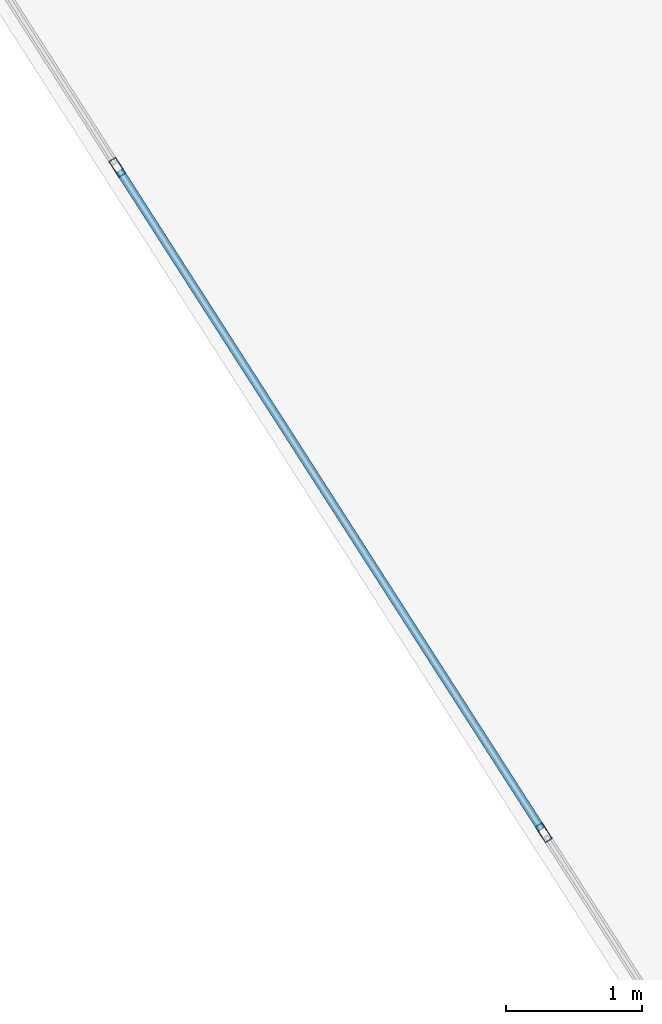
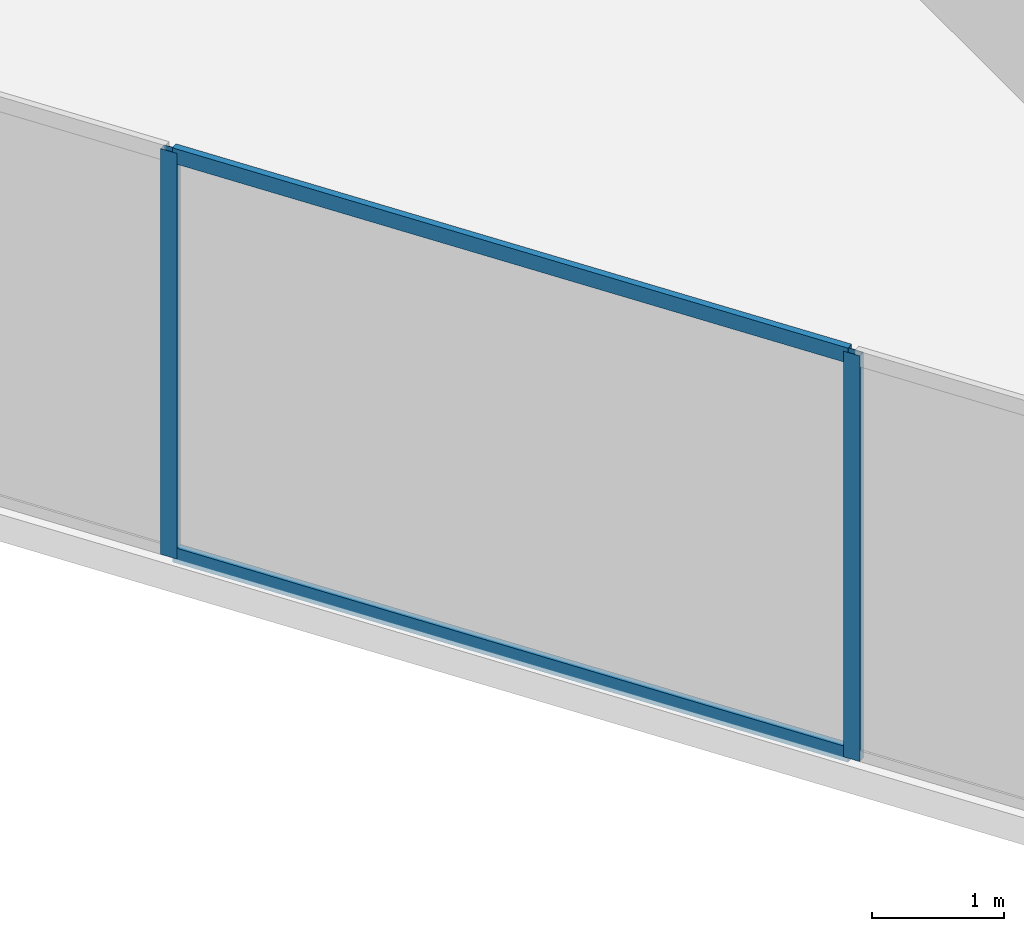
# One storey, part 17 of 26: 4 members, 1 element without a shape of its own.
"""IFC4 building model written with IfcOpenShell, lengths in metres."""

from ifc_helpers import new_model, si_unit, direction, frame, origin, origin_2d, place, context, subcontext, project, spatial, hollow_rectangle, extrude, material, layer, layer_set, material_profile, profile_set, type_object, element, aggregate, save


model = new_model("IFC4")

# Units and contexts
model_context = context("Model", 3, precision=1e-05, world=origin(), true_north=direction((0.0, 1.0)))
body_context = subcontext(model_context, "Body", "Model", "MODEL_VIEW")
ifc_project = project(units=[si_unit("LENGTHUNIT", "METRE"), si_unit("AREAUNIT", "SQUARE_METRE"), si_unit("VOLUMEUNIT", "CUBIC_METRE"), si_unit("PLANEANGLEUNIT", "RADIAN"), si_unit("MASSUNIT", "GRAM", prefix="KILO")], contexts=[model_context])

# Site, building, storey
site_placement = place(None, origin())
site = spatial("IfcSite", under=ifc_project, at=site_placement, CompositionType="ELEMENT")
building_placement = place(site_placement, origin())
building = spatial("IfcBuilding", under=site, at=building_placement, Name="Kravanh Interchange Tower", CompositionType="ELEMENT")
storey_placement = place(building_placement, frame((0.0, 0.0, 124.0)))
storey = spatial("IfcBuildingStorey", under=building, at=storey_placement, Name="L29", CompositionType="ELEMENT", Elevation=124.0)

# Curtain wall, members
ifc_material_1 = material(Name="Anodised Bronze Aluminium", Category="aluminium")
ifc_layer = layer(ifc_material_1, 0.179931640625)
ifc_layer_set = layer_set([ifc_layer], Name="Unitised Curtain Wall System CW-Z2 Mid Office")
curtain_wall_type = type_object("IfcCurtainWallType", Name="Unitised Curtain Wall System CW-Z2 Mid Office", PredefinedType="NOTDEFINED", material=ifc_layer_set)
curtain_wall_placement = place(storey_placement, origin())
curtain_wall = element("IfcCurtainWall", 1, at=curtain_wall_placement, inside=storey, type_object=curtain_wall_type, Name="L29 Unitised Curtain Wall CW-L29-04", PredefinedType="NOTDEFINED")
ifc_material_2 = material(Name="Anodised Bronze Aluminium", Category="aluminium")
ifc_material_profile_1 = material_profile(ifc_material_2, hollow_rectangle(XDim=0.06005859375, YDim=0.139892578125, WallThickness=0.00390625, at=origin_2d()), Name="ALU60X140X4")
ifc_profile_set_1 = profile_set([ifc_material_profile_1], Name="Anodised Bronze Aluminium")
member_type_1 = type_object("IfcMemberType", Name="Curtain Wall Mullion ALU60X140X4 Bronze", PredefinedType="MULLION", material=ifc_profile_set_1)
member_1_placement = place(storey_placement, frame((45.8828125, 16.12109375, 0.0), z_axis=(0.0, 0.0, 1.0), x_axis=(-0.841879939476, -0.539664865919, 0.0)))
member_1 = element("IfcMember", 2, at=member_1_placement, type_object=member_type_1, Name="CW-Z2 mullion 3", PredefinedType="MULLION", context=body_context, shape_type="SweptSolid", body=[
    extrude(hollow_rectangle(XDim=0.06005859375, YDim=0.139892578125, WallThickness=0.00390625, at=origin_2d()), origin(), (0.0, 0.0, 1.0), 3.75),
])
member_2_placement = place(storey_placement, frame((42.741455078125, 21.021728515625, 0.0), z_axis=(0.0, 0.0, 1.0), x_axis=(-0.841879939476, -0.539664865919, 0.0)))
member_2 = element("IfcMember", 3, at=member_2_placement, type_object=member_type_1, Name="CW-Z2 mullion 4", PredefinedType="MULLION", context=body_context, shape_type="SweptSolid", body=[
    extrude(hollow_rectangle(XDim=0.06005859375, YDim=0.139892578125, WallThickness=0.00390625, at=origin_2d()), origin(), (0.0, 0.0, 1.0), 3.75),
])
ifc_material_3 = material(Name="Anodised Bronze Aluminium", Category="aluminium")
ifc_material_profile_2 = material_profile(ifc_material_3, hollow_rectangle(XDim=0.06005859375, YDim=0.139892578125, WallThickness=0.00390625, at=origin_2d()), Name="ALU60X140X4")
ifc_profile_set_2 = profile_set([ifc_material_profile_2], Name="Anodised Bronze Aluminium")
member_type_2 = type_object("IfcMemberType", Name="Curtain Wall Transom ALU60X140X4 Bronze", PredefinedType="USERDEFINED", material=ifc_profile_set_2)
member_3_placement = place(storey_placement, frame((45.86669921875, 16.146484375, 0.030029296875), z_axis=(-0.539677666788, 0.84187173368, 0.0), x_axis=(-0.84187173368, -0.539677666788, 0.0)))
member_3 = element("IfcMember", 4, at=member_3_placement, type_object=member_type_2, Name="CW-Z2 transom 3.1", ObjectType="TRANSOM", PredefinedType="USERDEFINED", context=body_context, shape_type="SweptSolid", body=[
    extrude(hollow_rectangle(XDim=0.06005859375, YDim=0.139892578125, WallThickness=0.00390625, at=origin_2d()), origin(), (0.0, 0.0, 1.0), 5.760986328125),
])
member_4_placement = place(storey_placement, frame((45.86669921875, 16.146484375, 3.719970703125), z_axis=(-0.539677666788, 0.84187173368, 0.0), x_axis=(-0.84187173368, -0.539677666788, 0.0)))
member_4 = element("IfcMember", 5, at=member_4_placement, type_object=member_type_2, Name="CW-Z2 transom 3.2", ObjectType="TRANSOM", PredefinedType="USERDEFINED", context=body_context, shape_type="SweptSolid", body=[
    extrude(hollow_rectangle(XDim=0.06005859375, YDim=0.139892578125, WallThickness=0.00390625, at=origin_2d()), origin(), (0.0, 0.0, 1.0), 5.760986328125),
])
aggregate(curtain_wall, [member_1, member_2, member_3, member_4])

save(model, "model.ifc")
